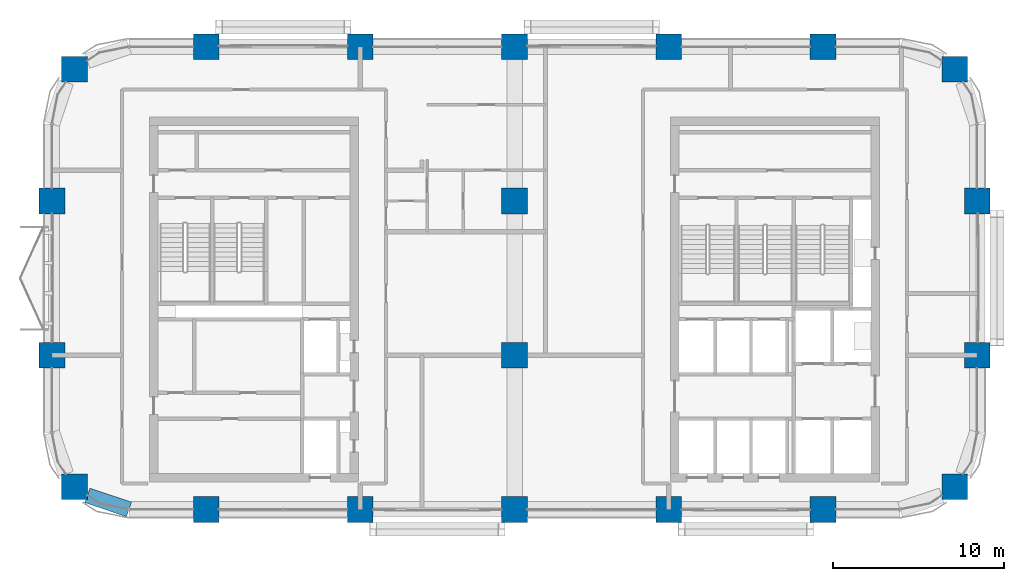
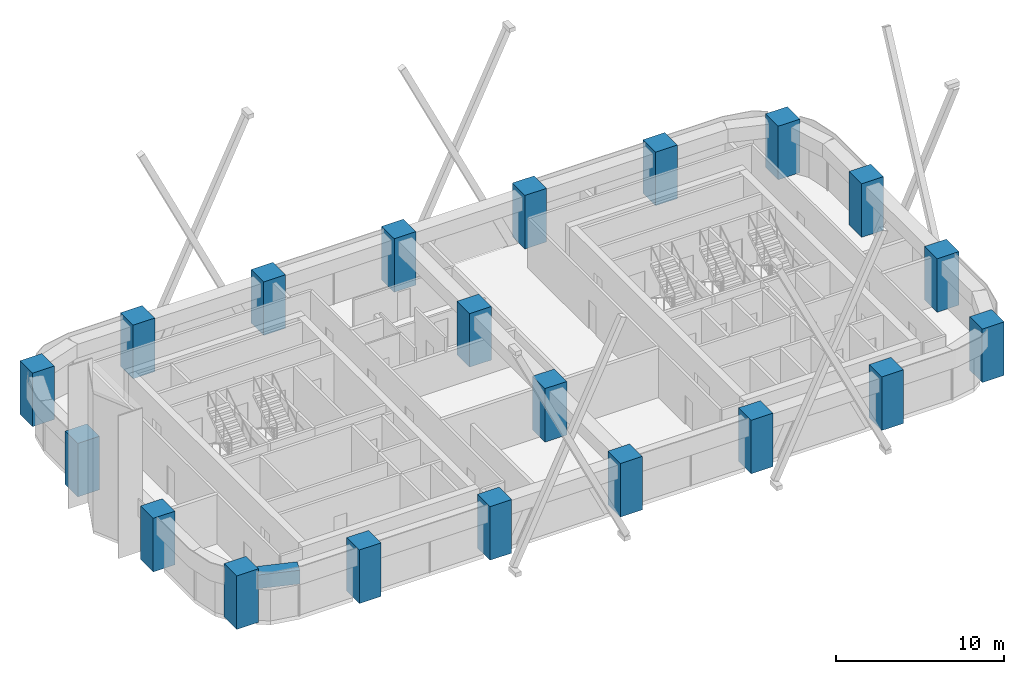
# One storey, part 1 of 13: 20 columns, 1 beam.
"""IFC4 building model written with IfcOpenShell, lengths in metres."""

import ifcopenshell
import ifcopenshell.guid

model = None  # the IFC model being written
_history = None  # IfcOwnerHistory: only IFC2X3 demands one
_inside = {}  # id of a spatial element -> (the spatial element, [elements in it])
_under = {}  # id of a project, library or spatial element -> (it, [spatial elements below it])
_declared = {}  # id of a project -> (the project, [libraries it declares])
_typed = {}  # id of a type object -> (the type object, [elements of that type])
_made_of = {}  # id of a material, layer set ... -> (it, [elements and type objects made of it])


def new_model(schema):
    """Start an empty IFC model of exactly this schema.

    Asked for "IFC4X3", IfcOpenShell would pick the latest addendum, in which some entities
    have other attributes; the version numbers below select the first issue.
    IFC2X3 requires an IfcOwnerHistory on every rooted entity: one is made here for all.
    """
    global model, _history
    if schema == "IFC4X3":
        model = ifcopenshell.file(schema_version=(4, 3, 0, 0))
    else:
        model = ifcopenshell.file(schema=schema)
    _inside.clear()
    _under.clear()
    _declared.clear()
    _typed.clear()
    _made_of.clear()
    _history = None
    if model.schema == "IFC2X3":
        org = make("IfcOrganization", Name="unknown")
        user = make(
            "IfcPersonAndOrganization",
            ThePerson=make("IfcPerson", FamilyName="unknown"),
            TheOrganization=org,
        )
        app = make(
            "IfcApplication",
            ApplicationDeveloper=org,
            Version="unknown",
            ApplicationFullName="unknown",
            ApplicationIdentifier="unknown",
        )
        _history = make(
            "IfcOwnerHistory",
            OwningUser=user,
            OwningApplication=app,
            ChangeAction="ADDED",
            CreationDate=0,
        )
    return model


def make(cls, **values):
    """One entity of the class cls with the attributes given. An attribute that is None is left unset."""
    return model.create_entity(
        cls, **{name: value for name, value in values.items() if value is not None}
    )


def rooted(cls, **values):
    """An entity with a GlobalId (a new one), such as an element, a storey or a relation."""
    return make(cls, GlobalId=ifcopenshell.guid.new(), OwnerHistory=_history, **values)


def si_unit(unit_type, name, prefix=None):
    """IfcSIUnit, for example si_unit("LENGTHUNIT", "METRE", prefix="MILLI")."""
    return make("IfcSIUnit", UnitType=unit_type, Prefix=prefix, Name=name)


def assignment(units):
    """IfcUnitAssignment: the units of a project."""
    return None if units is None else make("IfcUnitAssignment", Units=units)


def point(xyz):
    """IfcCartesianPoint."""
    return None if xyz is None else make("IfcCartesianPoint", Coordinates=xyz)


def direction(xyz):
    """IfcDirection."""
    return None if xyz is None else make("IfcDirection", DirectionRatios=xyz)


def frame(location, z_axis=None, x_axis=None):
    """IfcAxis2Placement3D, a coordinate frame: its origin and axes. An axis left out is left unset."""
    return make(
        "IfcAxis2Placement3D",
        Location=point(location),
        Axis=direction(z_axis),
        RefDirection=direction(x_axis),
    )


def frame_2d(location, x_axis=None):
    """IfcAxis2Placement2D, a coordinate frame in the plane: its origin and x axis."""
    return make(
        "IfcAxis2Placement2D", Location=point(location), RefDirection=direction(x_axis)
    )


def origin():
    """The frame at (0, 0, 0) with its axes left unset."""
    return frame((0.0, 0.0, 0.0))


def origin_2d():
    """The frame at (0, 0) in the plane with its x axis left unset."""
    return frame_2d((0.0, 0.0))


def place(relative_to, where):
    """IfcLocalPlacement: puts the frame where relative to a parent placement (None: the world)."""
    return make(
        "IfcLocalPlacement", PlacementRelTo=relative_to, RelativePlacement=where
    )


def context(
    kind, dimensions, precision=None, world=None, true_north=None, identifier=None
):
    """IfcGeometricRepresentationContext, for example the 3D "Model" context."""
    return make(
        "IfcGeometricRepresentationContext",
        ContextIdentifier=identifier,
        ContextType=kind,
        CoordinateSpaceDimension=dimensions,
        Precision=precision,
        WorldCoordinateSystem=world,
        TrueNorth=true_north,
    )


def subcontext(parent, identifier, kind, view, scale=None):
    """IfcGeometricRepresentationSubContext, for example "Body" below "Model"."""
    return make(
        "IfcGeometricRepresentationSubContext",
        ContextIdentifier=identifier,
        ContextType=kind,
        ParentContext=parent,
        TargetScale=scale,
        TargetView=view,
    )


def project(units=None, contexts=None):
    """IfcProject with its units and contexts."""
    return rooted(
        "IfcProject",
        Name="project",
        RepresentationContexts=contexts,
        UnitsInContext=assignment(units),
    )


def spatial(cls, under=None, at=None, **own):
    """A site, building, storey or space (cls), placed at a placement, below another one or the project."""
    s = rooted(cls, ObjectPlacement=at, **own)
    if under is not None:
        _under.setdefault(under.id(), (under, []))[1].append(s)
    return s


def profile(cls, at=None, kind="AREA", **sizes):
    """A parametric profile (cls). Its sizes go by their IFC names, for example OverallWidth=200.0."""
    return make(cls, ProfileType=kind, Position=at, **sizes)


def rectangle(**sizes):
    """IfcRectangleProfileDef."""
    return profile("IfcRectangleProfileDef", **sizes)


def extrude(swept, where, along, depth):
    """IfcExtrudedAreaSolid: the profile swept, set in the frame where, extruded along a direction by depth."""
    return make(
        "IfcExtrudedAreaSolid",
        SweptArea=swept,
        Position=where,
        ExtrudedDirection=direction(along),
        Depth=depth,
    )


def shape(context_of_items, identifier, shape_type, items):
    """IfcShapeRepresentation: the items that make up one representation, for example the "Body"."""
    return make(
        "IfcShapeRepresentation",
        ContextOfItems=context_of_items,
        RepresentationIdentifier=identifier,
        RepresentationType=shape_type,
        Items=items,
    )


def material(Name=None, Category=None):
    """IfcMaterial."""
    return make("IfcMaterial", Name=Name, Category=Category)


def material_profile(
    of_material, cross_section, Name=None, Category=None, Priority=None
):
    """IfcMaterialProfile: a cross section and its material."""
    return make(
        "IfcMaterialProfile",
        Name=Name,
        Material=of_material,
        Profile=cross_section,
        Priority=Priority,
        Category=Category,
    )


def profile_set(profiles, Name=None, composite=None):
    """IfcMaterialProfileSet."""
    return make(
        "IfcMaterialProfileSet",
        Name=Name,
        MaterialProfiles=profiles,
        CompositeProfile=composite,
    )


def made_of(thing, what):
    """Note that an element or type object is made of a material, layer set ...; save() writes the relation."""
    if what is not None:
        _made_of.setdefault(what.id(), (what, []))[1].append(thing)
    return thing


def type_object(cls, material=None, **own):
    """A type object (cls), such as IfcWallType, which elements share."""
    return made_of(rooted(cls, **own), material)


def element(
    cls,
    number,
    at=None,
    inside=None,
    cuts=None,
    type_object=None,
    material=None,
    context=None,
    identifier="Body",
    shape_type=None,
    held_by="IfcProductDefinitionShape",
    body=None,
    shapes=None,
    **own,
):
    """One element of the class cls, such as IfcWall. Its Tag is "e" and its number.

    at: its placement. inside: the storey or other place that contains it. cuts: it is an
    opening in that element (IfcRelVoidsElement). A single representation is given by context,
    identifier, shape_type and body (its items); several are given by shapes. held_by: the class
    of the entity that holds the representations. save() writes the other relations.
    """
    e = rooted(cls, Tag="e%d" % number, ObjectPlacement=at, **own)
    if body is not None:
        shapes = [shape(context, identifier, shape_type, body)]
    if shapes is not None:
        e.Representation = make(held_by, Representations=shapes)
    if inside is not None:
        _inside.setdefault(inside.id(), (inside, []))[1].append(e)
    if cuts is not None:
        rooted(
            "IfcRelVoidsElement", RelatingBuildingElement=cuts, RelatedOpeningElement=e
        )
    if type_object is not None:
        _typed.setdefault(type_object.id(), (type_object, []))[1].append(e)
    return made_of(e, material)


def aggregate(whole, parts):
    """IfcRelAggregates: a whole, such as a stair, and the parts it consists of."""
    return rooted("IfcRelAggregates", RelatingObject=whole, RelatedObjects=parts)


def save(model, path):
    """Write the relations noted so far, then the file.

    IfcRelAggregates (storeys below a building ...), IfcRelContainedInSpatialStructure (elements
    in a storey), IfcRelDefinesByType, IfcRelAssociatesMaterial and IfcRelDeclares: one each for
    every whole, place, type object, material and project.
    """
    for whole, parts in _under.values():
        aggregate(whole, parts)
    for where, things in _inside.values():
        rooted(
            "IfcRelContainedInSpatialStructure",
            RelatedElements=things,
            RelatingStructure=where,
        )
    for kind, things in _typed.values():
        rooted("IfcRelDefinesByType", RelatedObjects=things, RelatingType=kind)
    for what, things in _made_of.values():
        rooted("IfcRelAssociatesMaterial", RelatedObjects=things, RelatingMaterial=what)
    for by, libraries in _declared.values():
        rooted("IfcRelDeclares", RelatingContext=by, RelatedDefinitions=libraries)
    model.write(path)


model = new_model("IFC4")

# Units and contexts
model_context = context("Model", 3, precision=1e-05, world=origin(), true_north=direction((0.0, 1.0)))
body_context = subcontext(model_context, "Body", "Model", "MODEL_VIEW")
ifc_project = project(units=[si_unit("LENGTHUNIT", "METRE"), si_unit("AREAUNIT", "SQUARE_METRE"), si_unit("VOLUMEUNIT", "CUBIC_METRE"), si_unit("PLANEANGLEUNIT", "RADIAN"), si_unit("MASSUNIT", "GRAM", prefix="KILO")], contexts=[model_context])

# Site, building, storey
site_placement = place(None, origin())
site = spatial("IfcSite", under=ifc_project, at=site_placement, CompositionType="ELEMENT")
building_placement = place(site_placement, origin())
building = spatial("IfcBuilding", under=site, at=building_placement, Name="Tessera Arch", CompositionType="ELEMENT")
storey_placement = place(building_placement, frame((0.0, 0.0, 166.10009765625)))
storey = spatial("IfcBuildingStorey", under=building, at=storey_placement, Name="L39", CompositionType="ELEMENT", Elevation=166.10009765625)

# Columns
ifc_material_1 = material(Name="Concrete C70/85", Category="concrete")
ifc_material_profile_1 = material_profile(ifc_material_1, rectangle(XDim=1.5, YDim=1.5, at=origin_2d()), Name="RC column 1500 x 1500 Concrete C70/85")
ifc_profile_set_1 = profile_set([ifc_material_profile_1], Name="Concrete C70/85")
column_type = type_object("IfcColumnType", Name="RC column 1500 x 1500 Concrete C70/85", PredefinedType="COLUMN", material=ifc_profile_set_1)
for number, where, z_axis, x_axis, name in (
    (1, (1.318115234375, 28.318115234375, 0.0), (0.0, 0.0, 1.0), (1.0, 0.0, 0.0), "Column C1D L39"),
    (2, (0.0, 36.0, 0.0), (0.0, 0.0, 1.0), (1.0, 0.0, 0.0), "Column C1E L39"),
    (3, (0.0, 45.0, 0.0), (0.0, 0.0, 1.0), (1.0, 0.0, 0.0), "Column C1F L39"),
    (4, (1.318115234375, 52.681884765625, 0.0), (0.0, 0.0, 1.0), (1.0, 0.0, 0.0), "Column C1G L39"),
    (5, (9.0, 27.0, 0.0), (0.0, 0.0, 1.0), (1.0, 0.0, 0.0), "Column C2D L39"),
    (6, (9.0, 54.0, 0.0), (0.0, 0.0, 1.0), (1.0, 0.0, 0.0), "Column C2G L39"),
    (7, (18.0, 27.0, 0.0), (0.0, 0.0, 1.0), (1.0, 0.0, 0.0), "Column C3D L39"),
    (8, (18.0, 54.0, 0.0), (0.0, 0.0, 1.0), (1.0, 0.0, 0.0), "Column C3G L39"),
    (9, (27.0, 27.0, 0.0), (0.0, 0.0, 1.0), (1.0, 0.0, 0.0), "Column C4D L39"),
    (10, (27.0, 36.0, 0.0), (0.0, 0.0, 1.0), (1.0, 0.0, 0.0), "Column C4E L39"),
    (11, (27.0, 45.0, 0.0), (0.0, 0.0, 1.0), (1.0, 0.0, 0.0), "Column C4F L39"),
    (12, (27.0, 54.0, 0.0), (0.0, 0.0, 1.0), (1.0, 0.0, 0.0), "Column C4G L39"),
    (13, (36.0, 27.0, 0.0), (0.0, 0.0, 1.0), (1.0, 0.0, 0.0), "Column C5D L39"),
    (14, (36.0, 54.0, 0.0), (0.0, 0.0, 1.0), (1.0, 0.0, 0.0), "Column C5G L39"),
    (15, (45.0, 27.0, 0.0), (0.0, 0.0, 1.0), (1.0, 0.0, 0.0), "Column C6D L39"),
    (16, (45.0, 54.0, 0.0), (0.0, 0.0, 1.0), (1.0, 0.0, 0.0), "Column C6G L39"),
    (17, (52.681884765625, 28.318115234375, 0.0), (0.0, 0.0, 1.0), (1.0, 0.0, 0.0), "Column C7D L39"),
    (18, (54.0, 36.0, 0.0), (0.0, 0.0, 1.0), (1.0, 0.0, 0.0), "Column C7E L39"),
    (19, (54.0, 45.0, 0.0), (0.0, 0.0, 1.0), (1.0, 0.0, 0.0), "Column C7F L39"),
    (20, (52.681884765625, 52.681884765625, 0.0), (0.0, 0.0, 1.0), (1.0, 0.0, 0.0), "Column C7G L39"),
):
    element("IfcColumn", number, at=place(storey_placement, frame(where, z_axis=z_axis, x_axis=x_axis)), inside=storey, type_object=column_type, Name=name, PredefinedType="COLUMN", context=body_context, shape_type="SweptSolid", body=[
        extrude(rectangle(XDim=1.5, YDim=1.5, at=origin_2d()), origin(), (0.0, 0.0, 1.0), 3.89990234375),
    ])

# Beam
ifc_material_2 = material(Name="Concrete C70/85", Category="concrete")
ifc_material_profile_2 = material_profile(ifc_material_2, rectangle(XDim=0.89990234375, YDim=1.0, at=origin_2d()), Name="RC spandrel beam 900 x 1000 Concrete C70/85")
ifc_profile_set_2 = profile_set([ifc_material_profile_2], Name="Concrete C70/85")
beam_type = type_object("IfcBeamType", Name="RC spandrel beam 900 x 1000 Concrete C70/85", PredefinedType="BEAM", material=ifc_profile_set_2)
beam_placement = place(storey_placement, frame((2.068115234375, 27.81689453125, 3.099853515625), z_axis=(0.947947973234, -0.31842525032, 0.0), x_axis=(0.31842525032, 0.947947973234, 0.0)))
element("IfcBeam", 21, at=beam_placement, inside=storey, type_object=beam_type, Name="Spandrel beam L39 S27.0/0.1", PredefinedType="BEAM", context=body_context, shape_type="SweptSolid", body=[
    extrude(rectangle(XDim=0.89990234375, YDim=1.0, at=origin_2d()), origin(), (0.0, 0.0, 1.0), 2.5654296875),
])

save(model, "model.ifc")
